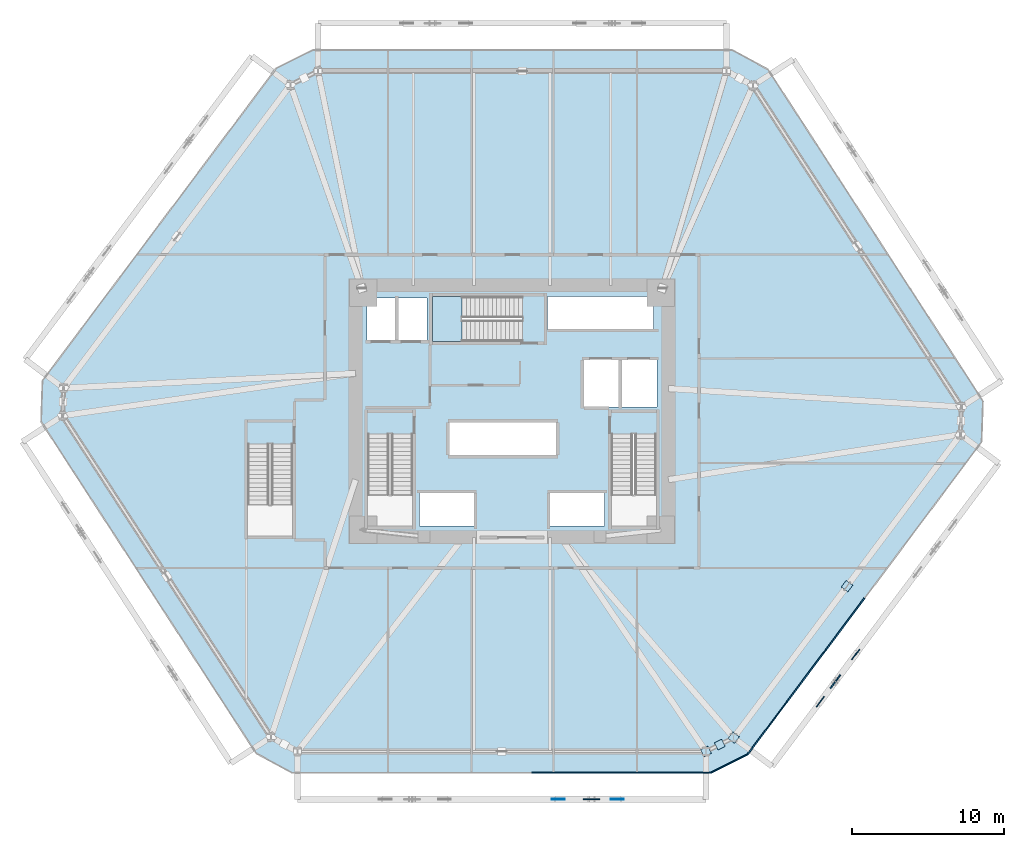
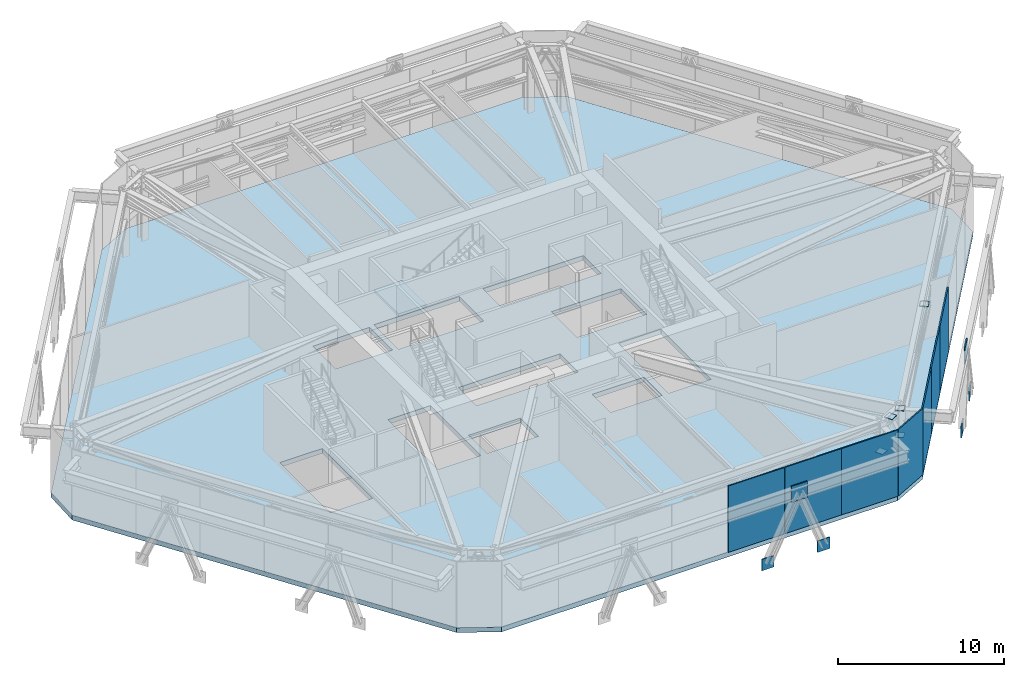
# One storey, part 6 of 16: 18 plates, 2 slabs, 1 element without a shape of its own.
"""IFC4 building model written with IfcOpenShell, lengths in metres."""

from ifc_helpers import new_model, si_unit, direction, frame, origin, origin_2d, place, context, subcontext, project, spatial, polyline, rectangle, outline, extrude, source, transform, mapped, material, layer, layer_set, type_object, type_shapes, element, aggregate, save


model = new_model("IFC4")

# Units and contexts
model_context = context("Model", 3, precision=1e-05, world=origin(), true_north=direction((0.0, 1.0)))
body_context = subcontext(model_context, "Body", "Model", "MODEL_VIEW")
ifc_project = project(units=[si_unit("LENGTHUNIT", "METRE"), si_unit("AREAUNIT", "SQUARE_METRE"), si_unit("VOLUMEUNIT", "CUBIC_METRE"), si_unit("PLANEANGLEUNIT", "RADIAN"), si_unit("MASSUNIT", "GRAM", prefix="KILO")], contexts=[model_context])

# Site, building, storey
site_placement = place(None, origin())
site = spatial("IfcSite", under=ifc_project, at=site_placement, CompositionType="ELEMENT")
building_placement = place(site_placement, origin())
building = spatial("IfcBuilding", under=site, at=building_placement, Name="Durnholm Broadcast Tower", CompositionType="ELEMENT")
storey_placement = place(building_placement, frame((0.0, 0.0, 10.39990234375)))
storey = spatial("IfcBuildingStorey", under=building, at=storey_placement, Name="L02", CompositionType="ELEMENT", Elevation=10.39990234375)

# Slab
ifc_material_1 = material(Name="Concrete C50/60", Category="concrete")
ifc_layer_1 = layer(ifc_material_1, 0.35009765625)
ifc_layer_set_1 = layer_set([ifc_layer_1], Name="Concrete C50/60")
slab_type_1 = type_object("IfcSlabType", Name="SLAB-FLR-350", PredefinedType="FLOOR", material=ifc_layer_set_1)
slab_1_placement = place(storey_placement, frame((0.0, 0.0, -0.349853515625)))
element("IfcSlab", 1, at=slab_1_placement, inside=storey, type_object=slab_type_1, Name="L02 structural floor slab", PredefinedType="FLOOR", context=body_context, shape_type="SweptSolid", body=[
    extrude(outline(polyline([(-16.847412109375, -22.510986328125), (-14.47509765625, -23.800048828125), (13.102783203125, -23.800048828125), (15.51708984375, -22.59130859375), (30.913818359375, -2.01708984375), (31.00439453125, 0.681396484375), (16.847412109375, 22.510986328125), (14.47509765625, 23.800048828125), (-13.102783203125, 23.800048828125), (-15.51708984375, 22.59130859375), (-30.913818359375, 2.01708984375), (-31.00439453125, -0.681396484375), (-16.847412109375, -22.510986328125)]), holes=[polyline([(-2.5, -5.35009765625), (-6.10009765625, -5.35009765625), (-6.10009765625, -7.550048828125), (-2.5, -7.550048828125), (-2.5, -5.35009765625)]), polyline([(6.10009765625, -5.35009765625), (2.5, -5.35009765625), (2.5, -7.550048828125), (6.10009765625, -7.550048828125), (6.10009765625, -5.35009765625)]), polyline([(-14.43994140625, -8.199951171875), (-14.43994140625, -2.14990234375), (-17.39990234375, -2.14990234375), (-17.39990234375, -8.199951171875), (-14.43994140625, -8.199951171875)]), polyline([(-9.5, -7.550048828125), (-6.5400390625, -7.550048828125), (-6.5400390625, -1.5), (-9.5, -1.5), (-9.5, -7.550048828125)]), polyline([(6.5400390625, -7.550048828125), (9.5, -7.550048828125), (9.5, -1.5), (6.5400390625, -1.5), (6.5400390625, -7.550048828125)]), polyline([(2.949951171875, -0.699951171875), (-4.14990234375, -0.699951171875), (-4.14990234375, -2.89990234375), (2.949951171875, -2.89990234375), (2.949951171875, -0.699951171875)]), polyline([(9.550048828125, 3.39990234375), (4.699951171875, 3.39990234375), (4.699951171875, 0.300048828125), (9.550048828125, 0.300048828125), (9.550048828125, 3.39990234375)]), polyline([(-5.60009765625, 7.449951171875), (-9.550048828125, 7.449951171875), (-9.550048828125, 4.699951171875), (-5.60009765625, 4.699951171875), (-5.60009765625, 7.449951171875)]), polyline([(-5.25, 7.56005859375), (-5.25, 4.60009765625), (0.699951171875, 4.60009765625), (0.699951171875, 7.56005859375), (-5.25, 7.56005859375)]), polyline([(9.31005859375, 5.39990234375), (9.31005859375, 7.550048828125), (2.35009765625, 7.550048828125), (2.35009765625, 5.39990234375), (9.31005859375, 5.39990234375)])]), origin(), (0.0, 0.0, 1.0), 0.349853515625),
])

# Stair, slab
stair_type = type_object("IfcStairType", Name="STAIR-DL-30R1733", PredefinedType="HALF_TURN_STAIR", material=ifc_material_1)
stair_placement = place(storey_placement, origin())
stair = element("IfcStair", 2, at=stair_placement, inside=storey, type_object=stair_type, Name="L02 ST-3", PredefinedType="HALF_TURN_STAIR")
ifc_layer_2 = layer(ifc_material_1, 0.199951171875)
ifc_layer_set_2 = layer_set([ifc_layer_2], Name="Concrete C50/60")
slab_type_2 = type_object("IfcSlabType", Name="SLAB-LND-200", PredefinedType="LANDING", material=ifc_layer_set_2)
slab_2_placement = place(storey_placement, frame((0.0, 0.0, 2.400146484375)))
slab_2 = element("IfcSlab", 3, at=slab_2_placement, type_object=slab_type_2, Name="ST-3 landing 1", PredefinedType="LANDING", context=body_context, shape_type="SweptSolid", body=[
    extrude(outline(polyline([(-3.2900390625, 7.56005859375), (-5.25, 7.56005859375), (-5.25, 4.60009765625), (-3.2900390625, 4.60009765625), (-3.2900390625, 7.56005859375)])), origin(), (0.0, 0.0, 1.0), 0.199951171875),
])
aggregate(stair, [slab_2])

# Plates
ifc_material_2 = material(Name="Steel ASTM A572 Grade 50", Category="steel")
ifc_layer_3 = layer(ifc_material_2, 0.0400390625)
ifc_layer_set_3 = layer_set([ifc_layer_3], Name="Steel ASTM A572 Grade 50")
plate_type_1 = type_object("IfcPlateType", Name="PLT-KN-CAP", PredefinedType="USERDEFINED", material=ifc_layer_set_3)
shared_shape_1 = source(origin(), body_context, "Body", "SweptSolid", [
    extrude(rectangle(XDim=0.5400390625, YDim=0.5400390625, at=origin_2d()), origin(), (0.0, 0.0, 1.0), 0.0400390625),
])
type_shapes(plate_type_1, [shared_shape_1])
for number, where, z_axis, x_axis, name in (
    (4, (14.594482421875, -21.487548828125, 2.530029296875), (0.0, 0.0, 1.0), (-0.59916334338, -0.800626809413, 0.0), "L02 hollow section end cap plate BT-CH-L02-09 2"),
    (5, (14.594482421875, -21.487548828125, 4.510009765625), (0.0, 0.0, 1.0), (-0.59916334338, -0.800626809413, 0.0), "L02 hollow section end cap plate BT-XCONT-L02-09 2"),
    (6, (22.06201171875, -11.509033203125, 3.52001953125), (0.0, 0.0, 1.0), (0.59916334338, 0.800626809413, 0.0), "L02 hollow section end cap plate BT-XSPLIT-L02-09-1 2"),
    (7, (12.77197265625, -22.39990234375, 2.530029296875), (0.0, 0.0, 1.0), (-0.894232371924, -0.447603021665, 0.0), "L02 hollow section end cap plate BT-CH-L02-10 2"),
    (8, (13.68310546875, -21.94384765625, 4.510009765625), (0.0, 0.0, 1.0), (-0.894232371924, -0.447603021665, 0.0), "L02 hollow section end cap plate BT-BR-L02-10-1 2"),
):
    element("IfcPlate", number, at=place(storey_placement, frame(where, z_axis=z_axis, x_axis=x_axis)), inside=storey, type_object=plate_type_1, Name=name, ObjectType="CAP_PLATE", PredefinedType="USERDEFINED", context=body_context, shape_type="MappedRepresentation", body=[
        mapped(shared_shape_1, transform((0.0, 0.0, 0.0), x_axis=(1.0, 0.0, 0.0), y_axis=(0.0, 1.0, 0.0), z_axis=(0.0, 0.0, 1.0), scale=1.0)),
    ])
ifc_layer_4 = layer(ifc_material_2, 0.080078125)
ifc_layer_set_4 = layer_set([ifc_layer_4], Name="Steel ASTM A572 Grade 50")
plate_type_2 = type_object("IfcPlateType", Name="PLT-KN02-GUS", PredefinedType="USERDEFINED", material=ifc_layer_set_4)
shared_shape_2 = source(origin(), body_context, "Body", "SweptSolid", [
    extrude(rectangle(XDim=0.85009765625, YDim=0.06005859375, at=origin_2d()), origin(), (0.0, 0.0, 1.0), 0.85009765625),
])
for number, where, z_axis, x_axis, name in (
    (9, (3.041259765625, -25.550048828125, -0.77490234375), (0.0, 0.0, 1.0), (1.0, 0.0, 0.0), "L02 pilotis-to-diagrid base gusset plate F1.D2.1"),
    (10, (6.9296875, -25.550048828125, -0.77490234375), (0.0, 0.0, 1.0), (1.0, 0.0, 0.0), "L02 pilotis-to-diagrid base gusset plate F1.D2.2"),
    (11, (20.2978515625, -19.123779296875, -0.77490234375), (0.0, 0.0, 1.0), (0.59916334338, 0.800626809413, 0.0), "L02 pilotis-to-diagrid base gusset plate F2.D1.1"),
    (12, (22.62744140625, -16.0107421875, -0.77490234375), (0.0, 0.0, 1.0), (0.59916334338, 0.800626809413, 0.0), "L02 pilotis-to-diagrid base gusset plate F2.D1.2"),
):
    element("IfcPlate", number, at=place(storey_placement, frame(where, z_axis=z_axis, x_axis=x_axis)), inside=storey, type_object=plate_type_2, Name=name, ObjectType="GUSSET_PLATE", PredefinedType="USERDEFINED", context=body_context, shape_type="MappedRepresentation", body=[
        mapped(shared_shape_2, transform((0.0, 0.0, 0.0), x_axis=(1.0, 0.0, 0.0), y_axis=(0.0, 1.0, 0.0), z_axis=(0.0, 0.0, 1.0), scale=1.0)),
    ])
shared_shape_3 = source(origin(), body_context, "Body", "SweptSolid", [
    extrude(rectangle(XDim=1.10009765625, YDim=0.080078125, at=origin_2d()), origin(), (0.0, 0.0, 1.0), 1.199951171875),
])
type_shapes(plate_type_2, [shared_shape_2, shared_shape_3])
for number, where, z_axis, x_axis, name in (
    (13, (5.242431640625, -25.550048828125, 3.52880859375), (0.0, 0.0, 1.0), (1.0, 0.0, 0.0), "L02 welded diagrid node gusset plate KN02 F1"),
    (14, (21.298095703125, -17.787109375, 3.52880859375), (0.0, 0.0, 1.0), (0.59916334338, 0.800626809413, 0.0), "L02 welded diagrid node gusset plate KN02 F2"),
):
    element("IfcPlate", number, at=place(storey_placement, frame(where, z_axis=z_axis, x_axis=x_axis)), inside=storey, type_object=plate_type_2, Name=name, ObjectType="GUSSET_PLATE", PredefinedType="USERDEFINED", context=body_context, shape_type="MappedRepresentation", body=[
        mapped(shared_shape_3, transform((0.0, 0.0, 0.0), x_axis=(1.0, 0.0, 0.0), y_axis=(0.0, 1.0, 0.0), z_axis=(0.0, 0.0, 1.0), scale=1.0)),
    ])
ifc_material_3 = material(Name="Anodised Architectural Aluminium Louvre Screen", Category="aluminium")
ifc_layer_5 = layer(ifc_material_3, 0.0849609375)
ifc_layer_set_5 = layer_set([ifc_layer_5], Name="Anodised Architectural Aluminium Louvre Screen")
plate_type_3 = type_object("IfcPlateType", Name="PLT-CROWN-SCR", PredefinedType="USERDEFINED", material=ifc_layer_set_5)
shared_shape_4 = source(origin(), body_context, "Body", "SweptSolid", [
    extrude(rectangle(XDim=2.679931640625, YDim=0.0849609375, at=origin_2d()), origin(), (0.0, 0.0, 1.0), 4.8798828125),
])
plate_placement = place(storey_placement, frame((14.31005859375, -23.19580078125, 0.000244140625), z_axis=(0.0, 0.0, 1.0), x_axis=(-0.894232371924, -0.447603021665, 0.0)))
element("IfcPlate", 15, at=plate_placement, inside=storey, type_object=plate_type_3, Name="L02 mechanical louvre screen panel SCR-L02-F09.1", ObjectType="SCREEN", PredefinedType="USERDEFINED", context=body_context, shape_type="MappedRepresentation", body=[
    mapped(shared_shape_4, transform((0.0, 0.0, 0.0), x_axis=(1.0, 0.0, 0.0), y_axis=(0.0, 1.0, 0.0), z_axis=(0.0, 0.0, 1.0), scale=1.0)),
])
shared_shape_5 = source(origin(), body_context, "Body", "SweptSolid", [
    extrude(rectangle(XDim=4.262939453125, YDim=0.0849609375, at=origin_2d()), origin(), (0.0, 0.0, 1.0), 4.8798828125),
])
for number, where, z_axis, x_axis, name in (
    (16, (21.932373046875, -14.018798828125, 0.000244140625), (0.0, 0.0, 1.0), (-0.59916334338, -0.800626809413, 0.0), "L02 mechanical louvre screen panel SCR-L02-F08.4"),
    (17, (19.3662109375, -17.44775390625, 0.000244140625), (0.0, 0.0, 1.0), (-0.59916334338, -0.800626809413, 0.0), "L02 mechanical louvre screen panel SCR-L02-F08.5"),
    (18, (16.80029296875, -20.876708984375, 0.000244140625), (0.0, 0.0, 1.0), (-0.59916334338, -0.800626809413, 0.0), "L02 mechanical louvre screen panel SCR-L02-F08.6"),
):
    element("IfcPlate", number, at=place(storey_placement, frame(where, z_axis=z_axis, x_axis=x_axis)), inside=storey, type_object=plate_type_3, Name=name, ObjectType="SCREEN", PredefinedType="USERDEFINED", context=body_context, shape_type="MappedRepresentation", body=[
        mapped(shared_shape_5, transform((0.0, 0.0, 0.0), x_axis=(1.0, 0.0, 0.0), y_axis=(0.0, 1.0, 0.0), z_axis=(0.0, 0.0, 1.0), scale=1.0)),
    ])
shared_shape_6 = source(origin(), body_context, "Body", "SweptSolid", [
    extrude(rectangle(XDim=3.919677734375, YDim=0.0849609375, at=origin_2d()), origin(), (0.0, 0.0, 1.0), 4.8798828125),
])
type_shapes(plate_type_3, [shared_shape_4, shared_shape_5, shared_shape_6])
for number, where, z_axis, x_axis, name in (
    (19, (11.133056640625, -23.800048828125, 0.000244140625), (0.0, 0.0, 1.0), (-1.0, 0.0, 0.0), "L02 mechanical louvre screen panel SCR-L02-F10.1"),
    (20, (7.193359375, -23.800048828125, 0.000244140625), (0.0, 0.0, 1.0), (-1.0, 0.0, 0.0), "L02 mechanical louvre screen panel SCR-L02-F10.2"),
    (21, (3.253662109375, -23.800048828125, 0.000244140625), (0.0, 0.0, 1.0), (-1.0, 0.0, 0.0), "L02 mechanical louvre screen panel SCR-L02-F10.3"),
):
    element("IfcPlate", number, at=place(storey_placement, frame(where, z_axis=z_axis, x_axis=x_axis)), inside=storey, type_object=plate_type_3, Name=name, ObjectType="SCREEN", PredefinedType="USERDEFINED", context=body_context, shape_type="MappedRepresentation", body=[
        mapped(shared_shape_6, transform((0.0, 0.0, 0.0), x_axis=(1.0, 0.0, 0.0), y_axis=(0.0, 1.0, 0.0), z_axis=(0.0, 0.0, 1.0), scale=1.0)),
    ])

save(model, "model.ifc")
